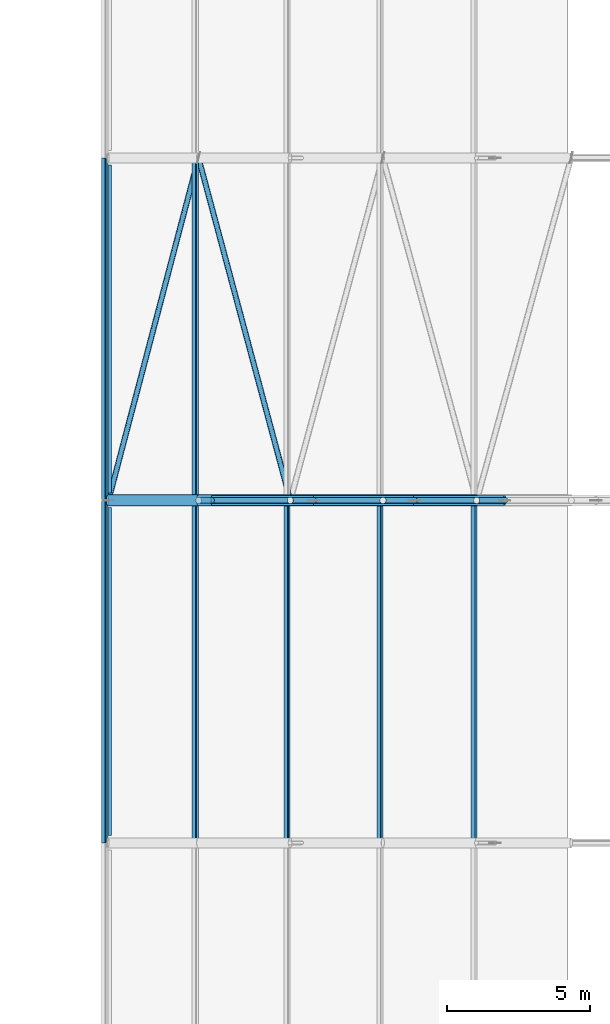
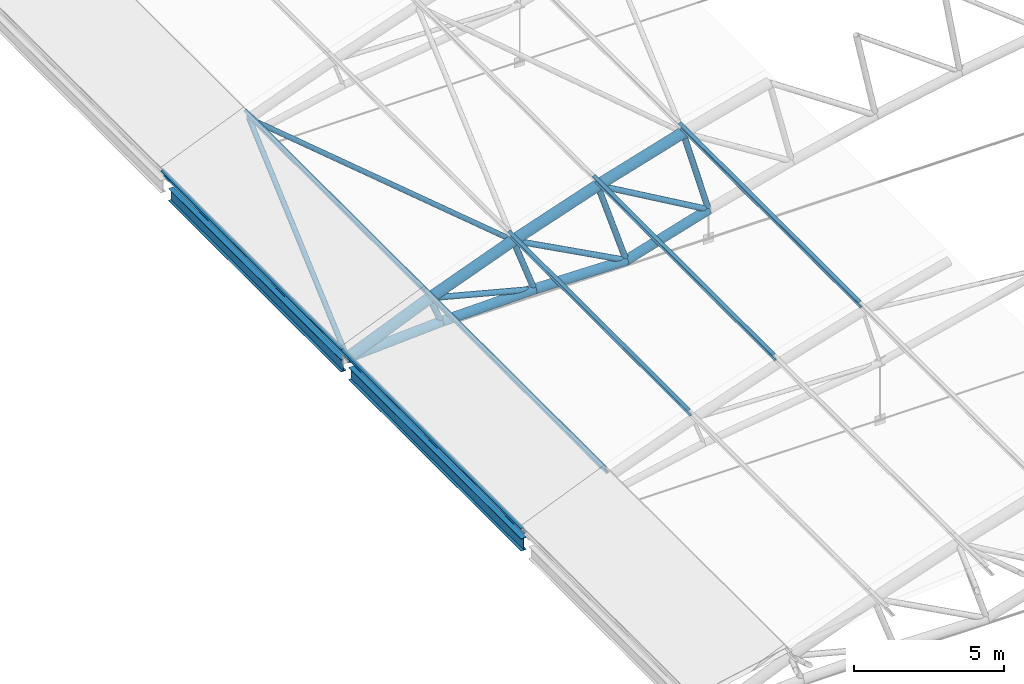
# One storey, part 148 of 321: 24 members, 2 beams.
"""IFC4 building model written with IfcOpenShell, lengths in metres."""

from ifc_helpers import new_model, si_unit, direction, frame, origin, origin_2d, place, context, subcontext, project, spatial, hollow_circle, i_section, extrude, material, material_profile, profile_set, type_object, element, save


model = new_model("IFC4")

# Units and contexts
model_context = context("Model", 3, precision=1e-05, world=origin(), true_north=direction((0.0, 1.0)))
body_context = subcontext(model_context, "Body", "Model", "MODEL_VIEW")
ifc_project = project(units=[si_unit("LENGTHUNIT", "METRE"), si_unit("AREAUNIT", "SQUARE_METRE"), si_unit("VOLUMEUNIT", "CUBIC_METRE"), si_unit("PLANEANGLEUNIT", "RADIAN"), si_unit("MASSUNIT", "GRAM", prefix="KILO")], contexts=[model_context])

# Site, building, storey
site_placement = place(None, origin())
site = spatial("IfcSite", under=ifc_project, at=site_placement, CompositionType="ELEMENT")
building_placement = place(site_placement, origin())
building = spatial("IfcBuilding", under=site, at=building_placement, Name="Ravi Spectrum Wholesale Market", CompositionType="ELEMENT")
storey_placement = place(building_placement, frame((0.0, 0.0, 10.800048828125)))
storey = spatial("IfcBuildingStorey", under=building, at=storey_placement, Name="L02", CompositionType="ELEMENT", Elevation=10.800048828125)

# Members
ifc_material_1 = material(Name="Steel S355", Category="steel")
ifc_material_profile_1 = material_profile(ifc_material_1, hollow_circle(Radius=0.096923828125, WallThickness=0.00634765625, at=origin_2d()))
ifc_profile_set_1 = profile_set([ifc_material_profile_1], Name="Steel S355")
member_type_1 = type_object("IfcMemberType", Name="CHS 193.7x6.3 brace", PredefinedType="BRACE", material=ifc_profile_set_1)
member_1_placement = place(storey_placement, frame((30.0, 150.0, 0.0), z_axis=(0.252750787053, 0.961474087551, 0.108095414384), x_axis=(-0.967141027223, 0.254240503189, 0.0)))
element("IfcMember", 1, at=member_1_placement, inside=storey, type_object=member_type_1, Name="H1-MB-L02-1680", PredefinedType="BRACE", context=body_context, shape_type="SweptSolid", body=[
    extrude(hollow_circle(Radius=0.096923828125, WallThickness=0.00634765625, at=origin_2d()), origin(), (0.0, 0.0, 1.0), 12.48095703125),
])
member_2_placement = place(storey_placement, frame((33.154541015625, 162.0, 1.34912109375), z_axis=(0.257759532951, -0.961478072674, 0.095498371395), x_axis=(0.96589260156, 0.258943009659, 0.0)))
element("IfcMember", 2, at=member_2_placement, inside=storey, type_object=member_type_1, Name="H1-MB-L02-1681", PredefinedType="BRACE", context=body_context, shape_type="SweptSolid", body=[
    extrude(hollow_circle(Radius=0.096923828125, WallThickness=0.00634765625, at=origin_2d()), origin(), (0.0, 0.0, 1.0), 12.480712890625),
])
ifc_material_2 = material(Name="Steel S355", Category="steel")
ifc_material_profile_2 = material_profile(ifc_material_2, hollow_circle(Radius=0.109619140625, WallThickness=0.008056640625, at=origin_2d()))
ifc_profile_set_2 = profile_set([ifc_material_profile_2], Name="Steel S355")
member_type_2 = type_object("IfcMemberType", Name="CHS 219.1x8 brace", PredefinedType="BRACE", material=ifc_profile_set_2)
member_3_placement = place(storey_placement, frame((33.163818359375, 150.0, 1.325439453125), z_axis=(0.967942387937, 0.0, -0.251172318609), x_axis=(0.0, 1.0, 0.0)))
element("IfcMember", 3, at=member_3_placement, inside=storey, type_object=member_type_2, Name="H1-MB-L02-882", PredefinedType="BRACE", context=body_context, shape_type="SweptSolid", body=[
    extrude(hollow_circle(Radius=0.109619140625, WallThickness=0.008056640625, at=origin_2d()), origin(), (0.0, 0.0, 1.0), 4.15234375),
])
for number, where, z_axis, x_axis, name in (
    (4, (36.37158203125, 150.0, 2.541015625), (0.881933088563, 0.0, -0.471374614608), (0.0, 1.0, 0.0), "H1-MB-L02-883"),
    (5, (39.619384765625, 150.0, 3.645263671875), (0.865160555252, 0.0, -0.501494978675), (0.0, 1.0, 0.0), "H1-MB-L02-884"),
):
    element("IfcMember", number, at=place(storey_placement, frame(where, z_axis=z_axis, x_axis=x_axis)), inside=storey, type_object=member_type_2, Name=name, PredefinedType="BRACE", context=body_context, shape_type="SweptSolid", body=[
        extrude(hollow_circle(Radius=0.109619140625, WallThickness=0.008056640625, at=origin_2d()), origin(), (0.0, 0.0, 1.0), 4.9296875),
    ])
ifc_material_3 = material(Name="Steel S355", Category="steel")
ifc_material_profile_3 = material_profile(ifc_material_3, hollow_circle(Radius=0.109619140625, WallThickness=0.008056640625, at=origin_2d()))
ifc_profile_set_3 = profile_set([ifc_material_profile_3], Name="Steel S355")
member_type_3 = type_object("IfcMemberType", Name="CHS 219.1x8 post", PredefinedType="POST", material=ifc_profile_set_3)
member_4_placement = place(storey_placement, frame((33.163818359375, 150.0, 1.325439453125), z_axis=(0.370513497528, 0.0, -0.928827081942), x_axis=(0.0, 1.0, 0.0)))
element("IfcMember", 6, at=member_4_placement, inside=storey, type_object=member_type_3, Name="H1-MB-L02-859", PredefinedType="POST", context=body_context, shape_type="SweptSolid", body=[
    extrude(hollow_circle(Radius=0.109619140625, WallThickness=0.008056640625, at=origin_2d()), origin(), (0.0, 0.0, 1.0), 1.199951171875),
])
member_5_placement = place(storey_placement, frame((36.37158203125, 150.0, 2.541015625), z_axis=(0.338146640483, 0.0, -0.941093432944), x_axis=(0.0, 1.0, 0.0)))
element("IfcMember", 7, at=member_5_placement, inside=storey, type_object=member_type_3, Name="H1-MB-L02-860", PredefinedType="POST", context=body_context, shape_type="SweptSolid", body=[
    extrude(hollow_circle(Radius=0.109619140625, WallThickness=0.008056640625, at=origin_2d()), origin(), (0.0, 0.0, 1.0), 2.39990234375),
])
member_6_placement = place(storey_placement, frame((39.619384765625, 150.0, 3.645263671875), z_axis=(0.305506444581, 0.0, -0.952190008517), x_axis=(0.0, 1.0, 0.0)))
element("IfcMember", 8, at=member_6_placement, inside=storey, type_object=member_type_3, Name="H1-MB-L02-861", PredefinedType="POST", context=body_context, shape_type="SweptSolid", body=[
    extrude(hollow_circle(Radius=0.109619140625, WallThickness=0.008056640625, at=origin_2d()), origin(), (0.0, 0.0, 1.0), 3.60009765625),
])
member_7_placement = place(storey_placement, frame((42.903076171875, 150.0, 4.63671875), z_axis=(0.272561766134, 0.0, -0.962138287172), x_axis=(0.0, 1.0, 0.0)))
element("IfcMember", 9, at=member_7_placement, inside=storey, type_object=member_type_3, Name="H1-MB-L02-862", PredefinedType="POST", context=body_context, shape_type="SweptSolid", body=[
    extrude(hollow_circle(Radius=0.109619140625, WallThickness=0.008056640625, at=origin_2d()), origin(), (0.0, 0.0, 1.0), 3.599853515625),
])
ifc_material_4 = material(Name="Steel S355", Category="steel")
ifc_material_profile_4 = material_profile(ifc_material_4, hollow_circle(Radius=0.177734375, WallThickness=0.012451171875, at=origin_2d()))
ifc_profile_set_4 = profile_set([ifc_material_profile_4], Name="Steel S355")
member_type_4 = type_object("IfcMemberType", Name="CHS 355.6x12.5 chord", PredefinedType="CHORD", material=ifc_profile_set_4)
member_8_placement = place(storey_placement, frame((30.0, 150.0, 0.0), z_axis=(0.998295734367, 0.0, 0.058357747936), x_axis=(0.0, 1.0, 0.0)))
element("IfcMember", 10, at=member_8_placement, inside=storey, type_object=member_type_4, Name="H1-MB-L02-835", PredefinedType="CHORD", context=body_context, shape_type="SweptSolid", body=[
    extrude(hollow_circle(Radius=0.177734375, WallThickness=0.012451171875, at=origin_2d()), origin(), (0.0, 0.0, 1.0), 3.614501953125),
])
member_9_placement = place(storey_placement, frame((33.6083984375, 150.0, 0.2109375), z_axis=(0.999799841502, 0.0, 0.020006922112), x_axis=(0.0, 1.0, 0.0)))
element("IfcMember", 11, at=member_9_placement, inside=storey, type_object=member_type_4, Name="H1-MB-L02-836", PredefinedType="CHORD", context=body_context, shape_type="SweptSolid", body=[
    extrude(hollow_circle(Radius=0.177734375, WallThickness=0.012451171875, at=origin_2d()), origin(), (0.0, 0.0, 1.0), 3.575439453125),
])
member_10_placement = place(storey_placement, frame((37.18310546875, 150.0, 0.282470703125), z_axis=(0.999830134639, 0.0, -0.018431002896), x_axis=(0.0, 1.0, 0.0)))
element("IfcMember", 12, at=member_10_placement, inside=storey, type_object=member_type_4, Name="H1-MB-L02-837", PredefinedType="CHORD", context=body_context, shape_type="SweptSolid", body=[
    extrude(hollow_circle(Radius=0.177734375, WallThickness=0.012451171875, at=origin_2d()), origin(), (0.0, 0.0, 1.0), 3.53662109375),
])
member_11_placement = place(storey_placement, frame((40.71923828125, 150.0, 0.21728515625), z_axis=(0.957300337613, 0.0, 0.289095250058), x_axis=(0.0, 1.0, 0.0)))
element("IfcMember", 13, at=member_11_placement, inside=storey, type_object=member_type_4, Name="H1-MB-L02-838", PredefinedType="CHORD", context=body_context, shape_type="SweptSolid", body=[
    extrude(hollow_circle(Radius=0.177734375, WallThickness=0.012451171875, at=origin_2d()), origin(), (0.0, 0.0, 1.0), 3.30615234375),
])
ifc_material_5 = material(Name="Steel S355", Category="steel")
ifc_material_profile_5 = material_profile(ifc_material_5, hollow_circle(Radius=0.203125, WallThickness=0.01611328125, at=origin_2d()))
ifc_profile_set_5 = profile_set([ifc_material_profile_5], Name="Steel S355")
member_type_5 = type_object("IfcMemberType", Name="CHS 406.4x16 chord", PredefinedType="CHORD", material=ifc_profile_set_5)
member_12_placement = place(storey_placement, frame((30.0, 150.0, 0.0), z_axis=(0.922331882778, 0.0, 0.386398625789), x_axis=(0.0, 1.0, 0.0)))
element("IfcMember", 14, at=member_12_placement, inside=storey, type_object=member_type_5, Name="H1-MB-L02-811", PredefinedType="CHORD", context=body_context, shape_type="SweptSolid", body=[
    extrude(hollow_circle(Radius=0.203125, WallThickness=0.01611328125, at=origin_2d()), origin(), (0.0, 0.0, 1.0), 3.43017578125),
])
for number, where, z_axis, x_axis, name in (
    (15, (33.163818359375, 150.0, 1.325439453125), (0.935109783896, 0.0, 0.354358140956), (0.0, 1.0, 0.0), "H1-MB-L02-812"),
    (16, (36.37158203125, 150.0, 2.541015625), (0.946773178626, 0.0, 0.321901457335), (0.0, 1.0, 0.0), "H1-MB-L02-813"),
):
    element("IfcMember", number, at=place(storey_placement, frame(where, z_axis=z_axis, x_axis=x_axis)), inside=storey, type_object=member_type_5, Name=name, PredefinedType="CHORD", context=body_context, shape_type="SweptSolid", body=[
        extrude(hollow_circle(Radius=0.203125, WallThickness=0.01611328125, at=origin_2d()), origin(), (0.0, 0.0, 1.0), 3.430419921875),
    ])
member_13_placement = place(storey_placement, frame((39.619384765625, 150.0, 3.645263671875), z_axis=(0.957315448633, 0.0, 0.289045207204), x_axis=(0.0, 1.0, 0.0)))
element("IfcMember", 17, at=member_13_placement, inside=storey, type_object=member_type_5, Name="H1-MB-L02-814", PredefinedType="CHORD", context=body_context, shape_type="SweptSolid", body=[
    extrude(hollow_circle(Radius=0.203125, WallThickness=0.01611328125, at=origin_2d()), origin(), (0.0, 0.0, 1.0), 3.43017578125),
])
ifc_material_6 = material(Name="Steel S355", Category="steel")
ifc_material_profile_6 = material_profile(ifc_material_6, i_section(OverallWidth=0.135009765625, OverallDepth=0.27001953125, WebThickness=0.006591796875, FlangeThickness=0.01025390625, at=origin_2d()))
ifc_profile_set_6 = profile_set([ifc_material_profile_6], Name="Steel S355")
member_type_6 = type_object("IfcMemberType", Name="IPE 270 purlin", PredefinedType="PURLIN", material=ifc_profile_set_6)
for number, where, z_axis, x_axis, name in (
    (18, (29.864013671875, 138.0, 0.3095703125), (0.0, 1.0, 0.0), (-0.915525334521, 0.0, -0.402260316027), "H1-MB-L02-1459"),
    (19, (33.03857421875, 138.0, 1.6396484375), (0.0, 1.0, 0.0), (-0.928855283584, 0.0, -0.370442792017), "H1-MB-L02-1460"),
    (20, (36.25732421875, 138.0, 2.859375), (0.0, 1.0, 0.0), (-0.941079849597, 0.0, -0.338184441811), "H1-MB-L02-1461"),
    (21, (39.515869140625, 138.0, 3.96728515625), (0.0, 1.0, 0.0), (-0.952184497174, 0.0, -0.305523621577), "H1-MB-L02-1462"),
    (22, (42.81103515625, 138.0, 4.962158203125), (0.0, 1.0, 0.0), (-0.96215600485, 0.0, -0.272499215286), "H1-MB-L02-1463"),
    (23, (29.864013671875, 150.0, 0.3095703125), (0.0, 1.0, 0.0), (-0.915525334521, 0.0, -0.402260316027), "H1-MB-L02-1484"),
    (24, (33.03857421875, 150.0, 1.6396484375), (0.0, 1.0, 0.0), (-0.928855283584, 0.0, -0.370442792017), "H1-MB-L02-1485"),
):
    element("IfcMember", number, at=place(storey_placement, frame(where, z_axis=z_axis, x_axis=x_axis)), inside=storey, type_object=member_type_6, Name=name, PredefinedType="PURLIN", context=body_context, shape_type="SweptSolid", body=[
        extrude(i_section(OverallWidth=0.135009765625, OverallDepth=0.27001953125, WebThickness=0.006591796875, FlangeThickness=0.01025390625, at=origin_2d()), origin(), (0.0, 0.0, 1.0), 12.0),
    ])

# Beams
ifc_material_7 = material(Name="Steel S355", Category="steel")
ifc_material_profile_7 = material_profile(ifc_material_7, i_section(OverallWidth=0.199951171875, OverallDepth=0.5, WebThickness=0.01025390625, FlangeThickness=0.01611328125, at=origin_2d()))
ifc_profile_set_7 = profile_set([ifc_material_profile_7], Name="Steel S355")
beam_type = type_object("IfcBeamType", Name="IPE 500 girder", PredefinedType="BEAM", material=ifc_profile_set_7)
for number, where, z_axis, x_axis, name in (
    (25, (30.0, 138.25390625, -0.449951171875), (0.0, 1.0, 0.0), (-1.0, 0.0, 0.0), "H1-BM-L02-010"),
    (26, (30.0, 150.25390625, -0.449951171875), (0.0, 1.0, 0.0), (-1.0, 0.0, 0.0), "H1-BM-L02-011"),
):
    element("IfcBeam", number, at=place(storey_placement, frame(where, z_axis=z_axis, x_axis=x_axis)), inside=storey, type_object=beam_type, Name=name, PredefinedType="BEAM", context=body_context, shape_type="SweptSolid", body=[
        extrude(i_section(OverallWidth=0.199951171875, OverallDepth=0.5, WebThickness=0.01025390625, FlangeThickness=0.01611328125, at=origin_2d()), origin(), (0.0, 0.0, 1.0), 11.4921875),
    ])

save(model, "model.ifc")
